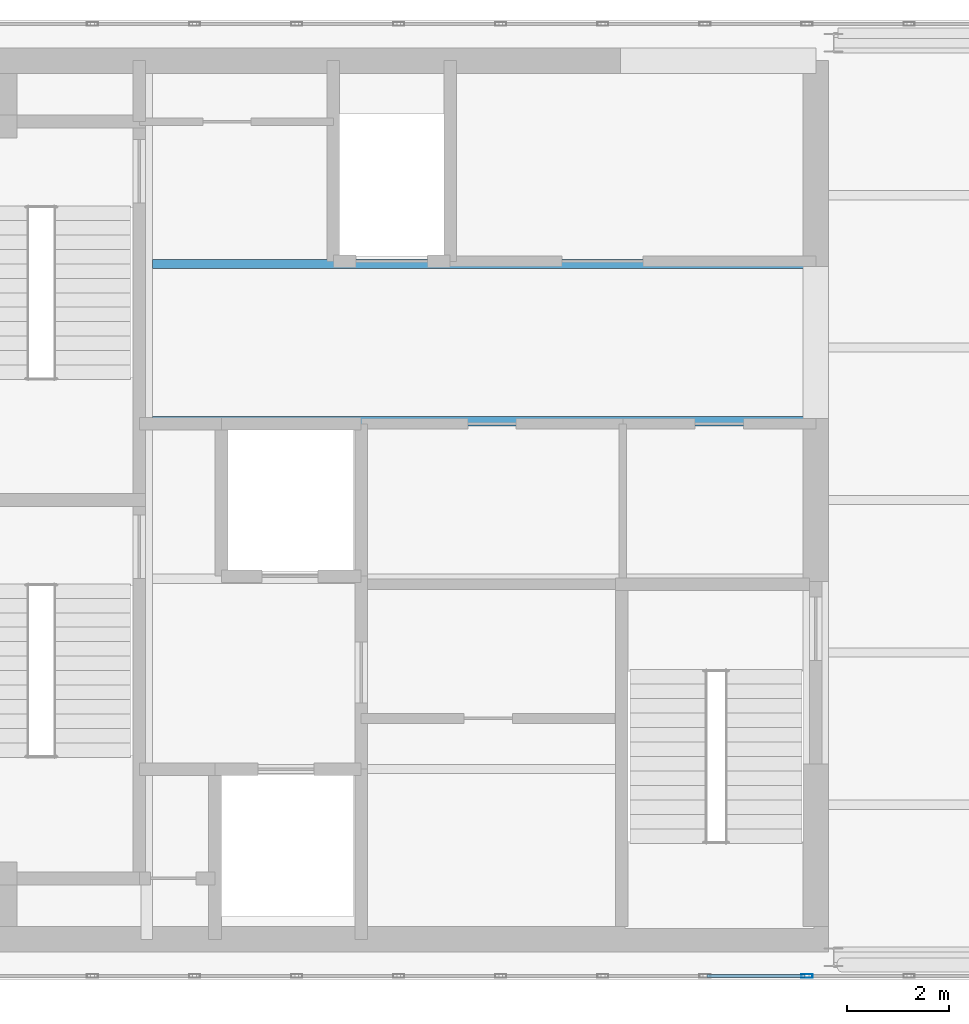
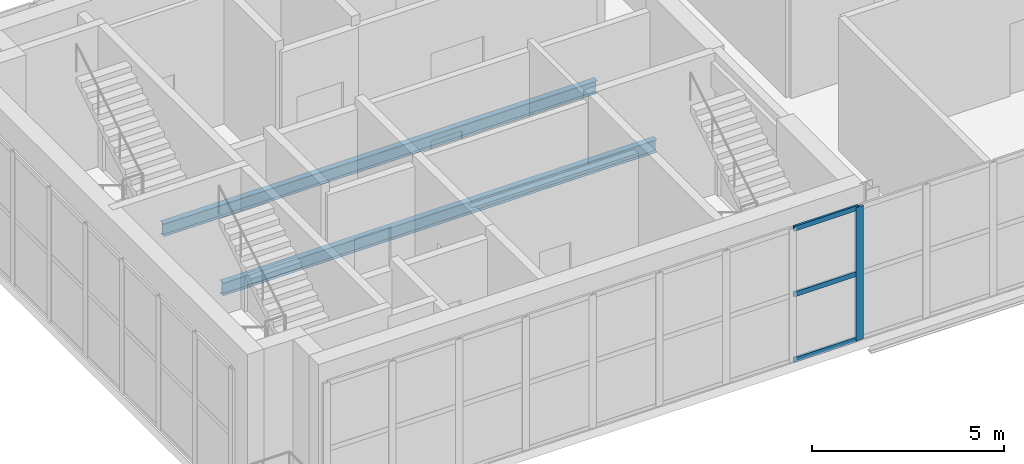
# One storey, part 5 of 21: 4 members, 2 beams, 1 element without a shape of its own.
"""IFC4 building model written with IfcOpenShell, lengths in metres."""

import ifcopenshell
import ifcopenshell.guid

model = None  # the IFC model being written
_history = None  # IfcOwnerHistory: only IFC2X3 demands one
_inside = {}  # id of a spatial element -> (the spatial element, [elements in it])
_under = {}  # id of a project, library or spatial element -> (it, [spatial elements below it])
_declared = {}  # id of a project -> (the project, [libraries it declares])
_typed = {}  # id of a type object -> (the type object, [elements of that type])
_made_of = {}  # id of a material, layer set ... -> (it, [elements and type objects made of it])


def new_model(schema):
    """Start an empty IFC model of exactly this schema.

    Asked for "IFC4X3", IfcOpenShell would pick the latest addendum, in which some entities
    have other attributes; the version numbers below select the first issue.
    IFC2X3 requires an IfcOwnerHistory on every rooted entity: one is made here for all.
    """
    global model, _history
    if schema == "IFC4X3":
        model = ifcopenshell.file(schema_version=(4, 3, 0, 0))
    else:
        model = ifcopenshell.file(schema=schema)
    _inside.clear()
    _under.clear()
    _declared.clear()
    _typed.clear()
    _made_of.clear()
    _history = None
    if model.schema == "IFC2X3":
        org = make("IfcOrganization", Name="unknown")
        user = make(
            "IfcPersonAndOrganization",
            ThePerson=make("IfcPerson", FamilyName="unknown"),
            TheOrganization=org,
        )
        app = make(
            "IfcApplication",
            ApplicationDeveloper=org,
            Version="unknown",
            ApplicationFullName="unknown",
            ApplicationIdentifier="unknown",
        )
        _history = make(
            "IfcOwnerHistory",
            OwningUser=user,
            OwningApplication=app,
            ChangeAction="ADDED",
            CreationDate=0,
        )
    return model


def make(cls, **values):
    """One entity of the class cls with the attributes given. An attribute that is None is left unset."""
    return model.create_entity(
        cls, **{name: value for name, value in values.items() if value is not None}
    )


def rooted(cls, **values):
    """An entity with a GlobalId (a new one), such as an element, a storey or a relation."""
    return make(cls, GlobalId=ifcopenshell.guid.new(), OwnerHistory=_history, **values)


def si_unit(unit_type, name, prefix=None):
    """IfcSIUnit, for example si_unit("LENGTHUNIT", "METRE", prefix="MILLI")."""
    return make("IfcSIUnit", UnitType=unit_type, Prefix=prefix, Name=name)


def assignment(units):
    """IfcUnitAssignment: the units of a project."""
    return None if units is None else make("IfcUnitAssignment", Units=units)


def point(xyz):
    """IfcCartesianPoint."""
    return None if xyz is None else make("IfcCartesianPoint", Coordinates=xyz)


def direction(xyz):
    """IfcDirection."""
    return None if xyz is None else make("IfcDirection", DirectionRatios=xyz)


def frame(location, z_axis=None, x_axis=None):
    """IfcAxis2Placement3D, a coordinate frame: its origin and axes. An axis left out is left unset."""
    return make(
        "IfcAxis2Placement3D",
        Location=point(location),
        Axis=direction(z_axis),
        RefDirection=direction(x_axis),
    )


def frame_2d(location, x_axis=None):
    """IfcAxis2Placement2D, a coordinate frame in the plane: its origin and x axis."""
    return make(
        "IfcAxis2Placement2D", Location=point(location), RefDirection=direction(x_axis)
    )


def origin():
    """The frame at (0, 0, 0) with its axes left unset."""
    return frame((0.0, 0.0, 0.0))


def origin_2d():
    """The frame at (0, 0) in the plane with its x axis left unset."""
    return frame_2d((0.0, 0.0))


def place(relative_to, where):
    """IfcLocalPlacement: puts the frame where relative to a parent placement (None: the world)."""
    return make(
        "IfcLocalPlacement", PlacementRelTo=relative_to, RelativePlacement=where
    )


def context(
    kind, dimensions, precision=None, world=None, true_north=None, identifier=None
):
    """IfcGeometricRepresentationContext, for example the 3D "Model" context."""
    return make(
        "IfcGeometricRepresentationContext",
        ContextIdentifier=identifier,
        ContextType=kind,
        CoordinateSpaceDimension=dimensions,
        Precision=precision,
        WorldCoordinateSystem=world,
        TrueNorth=true_north,
    )


def subcontext(parent, identifier, kind, view, scale=None):
    """IfcGeometricRepresentationSubContext, for example "Body" below "Model"."""
    return make(
        "IfcGeometricRepresentationSubContext",
        ContextIdentifier=identifier,
        ContextType=kind,
        ParentContext=parent,
        TargetScale=scale,
        TargetView=view,
    )


def project(units=None, contexts=None):
    """IfcProject with its units and contexts."""
    return rooted(
        "IfcProject",
        Name="project",
        RepresentationContexts=contexts,
        UnitsInContext=assignment(units),
    )


def spatial(cls, under=None, at=None, **own):
    """A site, building, storey or space (cls), placed at a placement, below another one or the project."""
    s = rooted(cls, ObjectPlacement=at, **own)
    if under is not None:
        _under.setdefault(under.id(), (under, []))[1].append(s)
    return s


def profile(cls, at=None, kind="AREA", **sizes):
    """A parametric profile (cls). Its sizes go by their IFC names, for example OverallWidth=200.0."""
    return make(cls, ProfileType=kind, Position=at, **sizes)


def hollow_rectangle(**sizes):
    """IfcRectangleHollowProfileDef."""
    return profile("IfcRectangleHollowProfileDef", **sizes)


def i_section(**sizes):
    """IfcIShapeProfileDef."""
    return profile("IfcIShapeProfileDef", **sizes)


def extrude(swept, where, along, depth):
    """IfcExtrudedAreaSolid: the profile swept, set in the frame where, extruded along a direction by depth."""
    return make(
        "IfcExtrudedAreaSolid",
        SweptArea=swept,
        Position=where,
        ExtrudedDirection=direction(along),
        Depth=depth,
    )


def shape(context_of_items, identifier, shape_type, items):
    """IfcShapeRepresentation: the items that make up one representation, for example the "Body"."""
    return make(
        "IfcShapeRepresentation",
        ContextOfItems=context_of_items,
        RepresentationIdentifier=identifier,
        RepresentationType=shape_type,
        Items=items,
    )


def material(Name=None, Category=None):
    """IfcMaterial."""
    return make("IfcMaterial", Name=Name, Category=Category)


def layer(
    of_material, thickness, ventilated=None, Name=None, Category=None, Priority=None
):
    """IfcMaterialLayer: one layer of a wall or slab, of a material (None: an air gap)."""
    return make(
        "IfcMaterialLayer",
        Material=of_material,
        LayerThickness=thickness,
        IsVentilated=ventilated,
        Name=Name,
        Category=Category,
        Priority=Priority,
    )


def layer_set(layers, Name=None):
    """IfcMaterialLayerSet."""
    return make("IfcMaterialLayerSet", MaterialLayers=layers, LayerSetName=Name)


def material_profile(
    of_material, cross_section, Name=None, Category=None, Priority=None
):
    """IfcMaterialProfile: a cross section and its material."""
    return make(
        "IfcMaterialProfile",
        Name=Name,
        Material=of_material,
        Profile=cross_section,
        Priority=Priority,
        Category=Category,
    )


def profile_set(profiles, Name=None, composite=None):
    """IfcMaterialProfileSet."""
    return make(
        "IfcMaterialProfileSet",
        Name=Name,
        MaterialProfiles=profiles,
        CompositeProfile=composite,
    )


def made_of(thing, what):
    """Note that an element or type object is made of a material, layer set ...; save() writes the relation."""
    if what is not None:
        _made_of.setdefault(what.id(), (what, []))[1].append(thing)
    return thing


def type_object(cls, material=None, **own):
    """A type object (cls), such as IfcWallType, which elements share."""
    return made_of(rooted(cls, **own), material)


def element(
    cls,
    number,
    at=None,
    inside=None,
    cuts=None,
    type_object=None,
    material=None,
    context=None,
    identifier="Body",
    shape_type=None,
    held_by="IfcProductDefinitionShape",
    body=None,
    shapes=None,
    **own,
):
    """One element of the class cls, such as IfcWall. Its Tag is "e" and its number.

    at: its placement. inside: the storey or other place that contains it. cuts: it is an
    opening in that element (IfcRelVoidsElement). A single representation is given by context,
    identifier, shape_type and body (its items); several are given by shapes. held_by: the class
    of the entity that holds the representations. save() writes the other relations.
    """
    e = rooted(cls, Tag="e%d" % number, ObjectPlacement=at, **own)
    if body is not None:
        shapes = [shape(context, identifier, shape_type, body)]
    if shapes is not None:
        e.Representation = make(held_by, Representations=shapes)
    if inside is not None:
        _inside.setdefault(inside.id(), (inside, []))[1].append(e)
    if cuts is not None:
        rooted(
            "IfcRelVoidsElement", RelatingBuildingElement=cuts, RelatedOpeningElement=e
        )
    if type_object is not None:
        _typed.setdefault(type_object.id(), (type_object, []))[1].append(e)
    return made_of(e, material)


def aggregate(whole, parts):
    """IfcRelAggregates: a whole, such as a stair, and the parts it consists of."""
    return rooted("IfcRelAggregates", RelatingObject=whole, RelatedObjects=parts)


def save(model, path):
    """Write the relations noted so far, then the file.

    IfcRelAggregates (storeys below a building ...), IfcRelContainedInSpatialStructure (elements
    in a storey), IfcRelDefinesByType, IfcRelAssociatesMaterial and IfcRelDeclares: one each for
    every whole, place, type object, material and project.
    """
    for whole, parts in _under.values():
        aggregate(whole, parts)
    for where, things in _inside.values():
        rooted(
            "IfcRelContainedInSpatialStructure",
            RelatedElements=things,
            RelatingStructure=where,
        )
    for kind, things in _typed.values():
        rooted("IfcRelDefinesByType", RelatedObjects=things, RelatingType=kind)
    for what, things in _made_of.values():
        rooted("IfcRelAssociatesMaterial", RelatedObjects=things, RelatingMaterial=what)
    for by, libraries in _declared.values():
        rooted("IfcRelDeclares", RelatingContext=by, RelatedDefinitions=libraries)
    model.write(path)


model = new_model("IFC4")

# Units and contexts
model_context = context("Model", 3, precision=1e-05, world=origin(), true_north=direction((0.0, 1.0)))
body_context = subcontext(model_context, "Body", "Model", "MODEL_VIEW")
ifc_project = project(units=[si_unit("LENGTHUNIT", "METRE"), si_unit("AREAUNIT", "SQUARE_METRE"), si_unit("VOLUMEUNIT", "CUBIC_METRE"), si_unit("PLANEANGLEUNIT", "RADIAN"), si_unit("MASSUNIT", "GRAM", prefix="KILO")], contexts=[model_context])

# Site, building, storey
site_placement = place(None, origin())
site = spatial("IfcSite", under=ifc_project, at=site_placement, CompositionType="ELEMENT")
building_placement = place(site_placement, origin())
building = spatial("IfcBuilding", under=site, at=building_placement, Name="Mawjdan Bourse Tower", CompositionType="ELEMENT")
storey_placement = place(building_placement, frame((0.0, 0.0, 317.699951171875)))
storey = spatial("IfcBuildingStorey", under=building, at=storey_placement, Name="L78", CompositionType="ELEMENT", Elevation=317.699951171875)

# Beams
ifc_material_1 = material(Name="Structural Steel S355", Category="steel")
ifc_material_profile_1 = material_profile(ifc_material_1, i_section(OverallWidth=0.177978515625, OverallDepth=0.406982421875, WebThickness=0.0078125, FlangeThickness=0.0126953125, FilletRadius=0.01025390625, at=origin_2d()), Name="W16X40")
ifc_profile_set_1 = profile_set([ifc_material_profile_1], Name="Structural Steel S355")
beam_type = type_object("IfcBeamType", Name="JST-W16X40", PredefinedType="JOIST", material=ifc_profile_set_1)
for number, where, z_axis, x_axis, name in (
    (1, (10.593017578125, 13.550048828125, -0.4833984375), (1.0, 0.0, 0.0), (0.0, 1.0, 0.0), "L78 Core Floor Joist 028"),
    (2, (10.593017578125, 16.64990234375, -0.4833984375), (1.0, 0.0, 0.0), (0.0, 1.0, 0.0), "L78 Core Floor Joist 029"),
):
    element("IfcBeam", number, at=place(storey_placement, frame(where, z_axis=z_axis, x_axis=x_axis)), inside=storey, type_object=beam_type, Name=name, PredefinedType="JOIST", context=body_context, shape_type="SweptSolid", body=[
        extrude(i_section(OverallWidth=0.177978515625, OverallDepth=0.406982421875, WebThickness=0.0078125, FlangeThickness=0.0126953125, FilletRadius=0.01025390625, at=origin_2d()), origin(), (0.0, 0.0, 1.0), 13.056884765625),
    ])

# Curtain wall, members
ifc_material_2 = material(Name="Thermally Broken Aluminium and Solar Glass", Category="aluminium")
ifc_layer = layer(ifc_material_2, 0.219970703125)
ifc_layer_set = layer_set([ifc_layer], Name="Thermally Broken Aluminium and Solar Glass")
curtain_wall_type = type_object("IfcCurtainWallType", Name="CW-CRN", PredefinedType="USERDEFINED", material=ifc_layer_set)
curtain_wall_placement = place(storey_placement, origin())
curtain_wall = element("IfcCurtainWall", 3, at=curtain_wall_placement, inside=storey, type_object=curtain_wall_type, Name="L78 Lantern Crown South Curtain Wall", ObjectType="LANTERN GLAZED CROWN", PredefinedType="USERDEFINED")
ifc_material_3 = material(Name="Thermally Broken Anodised Aluminium", Category="aluminium")
ifc_material_profile_2 = material_profile(ifc_material_3, hollow_rectangle(XDim=0.074951171875, YDim=0.219970703125, WallThickness=0.0048828125, at=origin_2d()), Name="ALU-MUL-220X75")
ifc_profile_set_2 = profile_set([ifc_material_profile_2], Name="Thermally Broken Anodised Aluminium")
member_type_1 = type_object("IfcMemberType", Name="MUL-ALU-MUL-220X75", PredefinedType="MULLION", material=ifc_profile_set_2)
member_1_placement = place(storey_placement, frame((23.47607421875, 2.6298828125, 0.0), z_axis=(0.0, 0.0, 1.0), x_axis=(0.0, 1.0, 0.0)))
member_1 = element("IfcMember", 4, at=member_1_placement, type_object=member_type_1, Name="CW-CRN-L78-CRN-S mullion 9", PredefinedType="MULLION", context=body_context, shape_type="SweptSolid", body=[
    extrude(hollow_rectangle(XDim=0.074951171875, YDim=0.219970703125, WallThickness=0.0048828125, at=origin_2d()), origin(), (0.0, 0.0, 1.0), 4.239990234375),
])
ifc_material_profile_3 = material_profile(ifc_material_3, hollow_rectangle(XDim=0.06005859375, YDim=0.155029296875, WallThickness=0.00390625, at=origin_2d()), Name="ALU-TRN-155X60")
ifc_profile_set_3 = profile_set([ifc_material_profile_3], Name="Thermally Broken Anodised Aluminium")
member_type_2 = type_object("IfcMemberType", Name="TRN-ALU-TRN-155X60", PredefinedType="USERDEFINED", material=ifc_profile_set_3)
member_2_placement = place(storey_placement, frame((21.504150390625, 2.6298828125, 0.030029296875), z_axis=(1.0, 0.0, 0.0), x_axis=(0.0, 1.0, 0.0)))
member_2 = element("IfcMember", 5, at=member_2_placement, type_object=member_type_2, Name="CW-CRN-L78-CRN-S transom 8.1", ObjectType="TRANSOM", PredefinedType="USERDEFINED", context=body_context, shape_type="SweptSolid", body=[
    extrude(hollow_rectangle(XDim=0.06005859375, YDim=0.155029296875, WallThickness=0.00390625, at=origin_2d()), origin(), (0.0, 0.0, 1.0), 1.9345703125),
])
member_3_placement = place(storey_placement, frame((21.504150390625, 2.6298828125, 2.1201171875), z_axis=(1.0, 0.0, 0.0), x_axis=(0.0, 1.0, 0.0)))
member_3 = element("IfcMember", 6, at=member_3_placement, type_object=member_type_2, Name="CW-CRN-L78-CRN-S transom 8.2", ObjectType="TRANSOM", PredefinedType="USERDEFINED", context=body_context, shape_type="SweptSolid", body=[
    extrude(hollow_rectangle(XDim=0.06005859375, YDim=0.155029296875, WallThickness=0.00390625, at=origin_2d()), origin(), (0.0, 0.0, 1.0), 1.9345703125),
])
member_4_placement = place(storey_placement, frame((21.504150390625, 2.6298828125, 4.2099609375), z_axis=(1.0, 0.0, 0.0), x_axis=(0.0, 1.0, 0.0)))
member_4 = element("IfcMember", 7, at=member_4_placement, type_object=member_type_2, Name="CW-CRN-L78-CRN-S transom 8.3", ObjectType="TRANSOM", PredefinedType="USERDEFINED", context=body_context, shape_type="SweptSolid", body=[
    extrude(hollow_rectangle(XDim=0.06005859375, YDim=0.155029296875, WallThickness=0.00390625, at=origin_2d()), origin(), (0.0, 0.0, 1.0), 1.9345703125),
])
aggregate(curtain_wall, [member_1, member_2, member_3, member_4])

save(model, "model.ifc")
